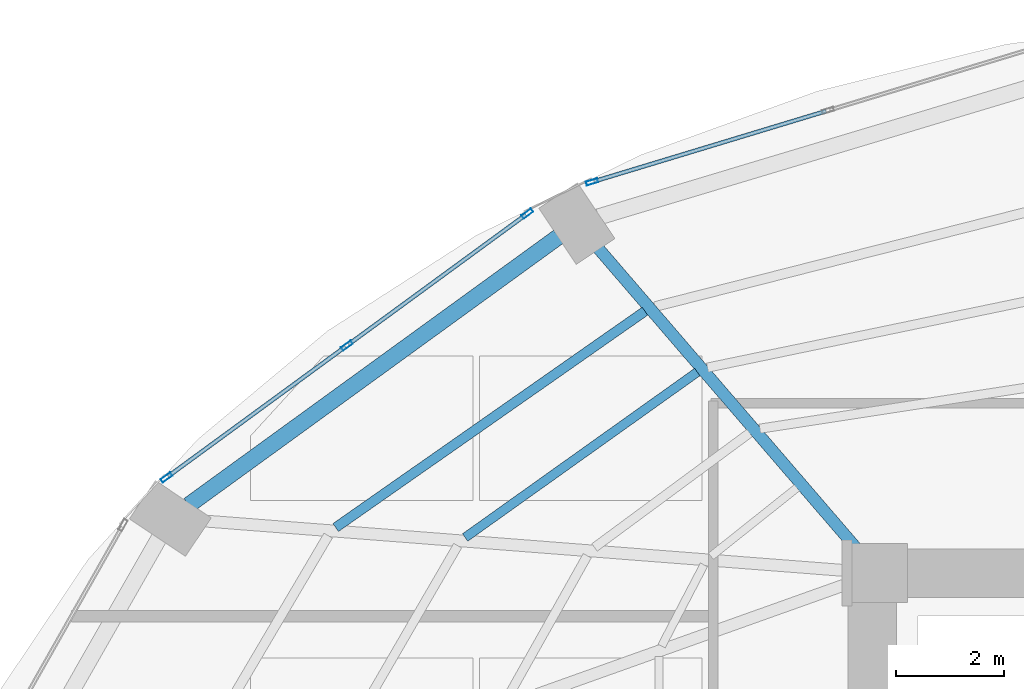
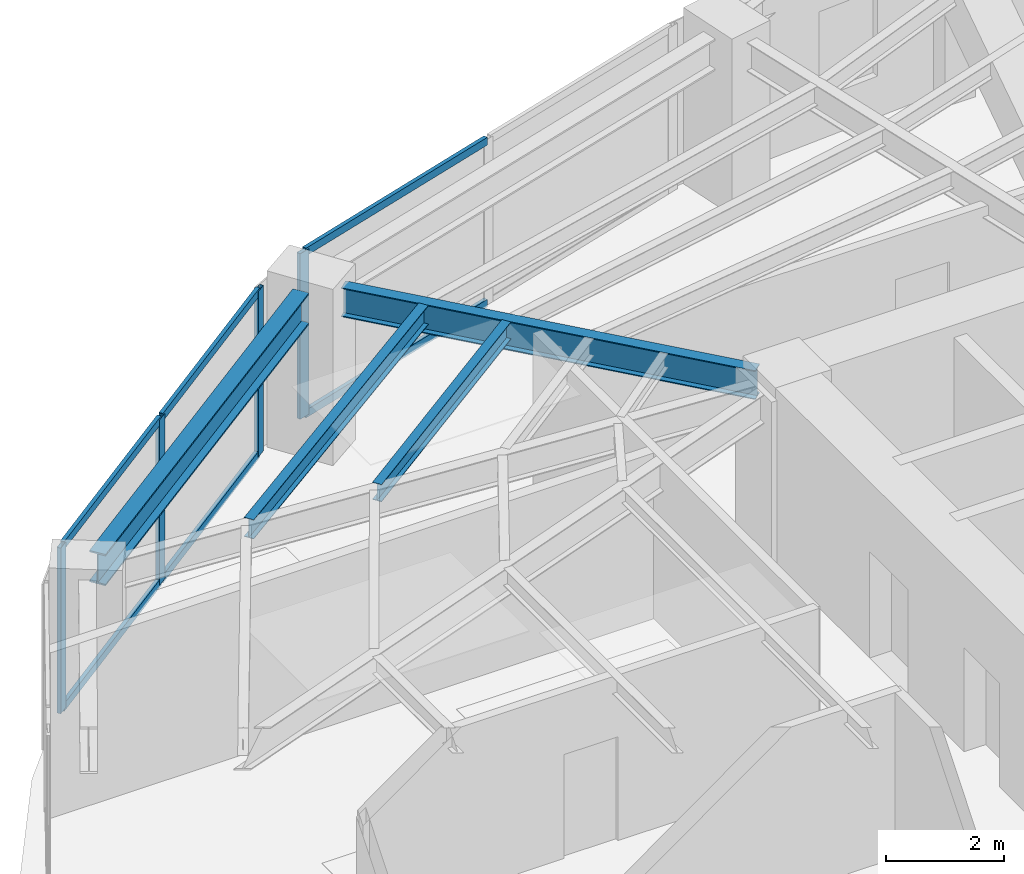
# One storey, part 13 of 24: 10 members, 4 beams, 2 elements without a shape of their own.
"""IFC4 building model written with IfcOpenShell, lengths in metres."""

from ifc_helpers import new_model, si_unit, direction, frame, origin, origin_2d, place, context, subcontext, project, spatial, hollow_rectangle, i_section, extrude, material, layer, layer_set, material_profile, profile_set, type_object, element, aggregate, save


model = new_model("IFC4")

# Units and contexts
model_context = context("Model", 3, precision=1e-05, world=origin(), true_north=direction((0.0, 1.0)))
body_context = subcontext(model_context, "Body", "Model", "MODEL_VIEW")
ifc_project = project(units=[si_unit("LENGTHUNIT", "METRE"), si_unit("AREAUNIT", "SQUARE_METRE"), si_unit("VOLUMEUNIT", "CUBIC_METRE"), si_unit("PLANEANGLEUNIT", "RADIAN"), si_unit("MASSUNIT", "GRAM", prefix="KILO")], contexts=[model_context])

# Site, building, storey
site_placement = place(None, origin())
site = spatial("IfcSite", under=ifc_project, at=site_placement, CompositionType="ELEMENT")
building_placement = place(site_placement, origin())
building = spatial("IfcBuilding", under=site, at=building_placement, Name="Lazwardi Medical Tower", CompositionType="ELEMENT")
storey_placement = place(building_placement, frame((0.0, 0.0, 58.031982421875)))
storey = spatial("IfcBuildingStorey", under=building, at=storey_placement, Name="L14", CompositionType="ELEMENT", Elevation=58.031982421875)

# Beams
ifc_material_1 = material(Name="Steel S355", Category="steel")
ifc_material_profile_1 = material_profile(ifc_material_1, i_section(OverallWidth=0.300048828125, OverallDepth=0.64990234375, WebThickness=0.01611328125, FlangeThickness=0.031005859375, at=origin_2d()), Name="HEB 650")
ifc_profile_set_1 = profile_set([ifc_material_profile_1], Name="Steel S355")
beam_type_1 = type_object("IfcBeamType", Name="BM-RB-Z1", PredefinedType="BEAM", material=ifc_profile_set_1)
beam_1_placement = place(storey_placement, frame((20.47900390625, 41.83740234375, 3.10302734375), z_axis=(-0.80939338516, -0.5872668457, 0.0), x_axis=(0.5872668457, -0.80939338516, 0.0)))
element("IfcBeam", 1, at=beam_1_placement, inside=storey, type_object=beam_type_1, Name="Ring beam RB-02 B10 L14", PredefinedType="BEAM", context=body_context, shape_type="SweptSolid", body=[
    extrude(i_section(OverallWidth=0.300048828125, OverallDepth=0.64990234375, WebThickness=0.01611328125, FlangeThickness=0.031005859375, at=origin_2d()), origin(), (0.0, 0.0, 1.0), 8.47412109375),
])
ifc_material_profile_2 = material_profile(ifc_material_1, i_section(OverallWidth=0.219970703125, OverallDepth=0.60009765625, WebThickness=0.011962890625, FlangeThickness=0.01904296875, at=origin_2d()), Name="IPE 600")
ifc_profile_set_2 = profile_set([ifc_material_profile_2], Name="Steel S355")
beam_type_2 = type_object("IfcBeamType", Name="BM-RG-W1", PredefinedType="BEAM", material=ifc_profile_set_2)
beam_2_placement = place(storey_placement, frame((21.197509765625, 41.644287109375, 3.1279296875), z_axis=(0.652368190463, -0.757902199543, 0.0), x_axis=(0.757902199543, 0.652368190463, 0.0)))
element("IfcBeam", 2, at=beam_2_placement, inside=storey, type_object=beam_type_2, Name="Radial girder RG-02 R10 L14", PredefinedType="BEAM", context=body_context, shape_type="SweptSolid", body=[
    extrude(i_section(OverallWidth=0.219970703125, OverallDepth=0.60009765625, WebThickness=0.011962890625, FlangeThickness=0.01904296875, at=origin_2d()), origin(), (0.0, 0.0, 1.0), 7.43994140625),
])
ifc_material_profile_3 = material_profile(ifc_material_1, i_section(OverallWidth=0.179931640625, OverallDepth=0.39990234375, WebThickness=0.008544921875, FlangeThickness=0.013427734375, at=origin_2d()), Name="IPE 400")
ifc_profile_set_3 = profile_set([ifc_material_profile_3], Name="Steel S355")
beam_type_3 = type_object("IfcBeamType", Name="BM-SJ-01", PredefinedType="JOIST", material=ifc_profile_set_3)
beam_3_placement = place(storey_placement, frame((22.08203125, 40.456298828125, 3.22802734375), z_axis=(-0.81942522483, -0.573186096231, 0.0), x_axis=(0.573186096231, -0.81942522483, 0.0)))
element("IfcBeam", 3, at=beam_3_placement, inside=storey, type_object=beam_type_3, Name="Secondary joist SJ-01 R1 B10 L14", PredefinedType="JOIST", context=body_context, shape_type="SweptSolid", body=[
    extrude(i_section(OverallWidth=0.179931640625, OverallDepth=0.39990234375, WebThickness=0.008544921875, FlangeThickness=0.013427734375, at=origin_2d()), origin(), (0.0, 0.0, 1.0), 6.999755859375),
])
ifc_material_profile_4 = material_profile(ifc_material_1, i_section(OverallWidth=0.169921875, OverallDepth=0.360107421875, WebThickness=0.008056640625, FlangeThickness=0.0126953125, at=origin_2d()), Name="IPE 360")
ifc_profile_set_4 = profile_set([ifc_material_profile_4], Name="Steel S355")
beam_type_4 = type_object("IfcBeamType", Name="BM-SJ-02", PredefinedType="JOIST", material=ifc_profile_set_4)
beam_4_placement = place(storey_placement, frame((23.05322265625, 39.327880859375, 3.248046875), z_axis=(-0.814341377136, -0.580386183058, 0.0), x_axis=(0.580386183058, -0.814341377136, 0.0)))
element("IfcBeam", 4, at=beam_4_placement, inside=storey, type_object=beam_type_4, Name="Secondary joist SJ-02 R2 B10 L14", PredefinedType="JOIST", context=body_context, shape_type="SweptSolid", body=[
    extrude(i_section(OverallWidth=0.169921875, OverallDepth=0.360107421875, WebThickness=0.008056640625, FlangeThickness=0.0126953125, at=origin_2d()), origin(), (0.0, 0.0, 1.0), 5.28759765625),
])

# Curtain wall, member
ifc_material_2 = material(Name="Anodised bronze aluminium and solar control glazing", Category="aluminium")
ifc_layer = layer(ifc_material_2, 0.199951171875)
ifc_layer_set = layer_set([ifc_layer], Name="Anodised bronze aluminium and solar control glazing")
curtain_wall_type = type_object("IfcCurtainWallType", Name="CW-SYS-02", PredefinedType="NOTDEFINED", material=ifc_layer_set)
curtain_wall_1_placement = place(storey_placement, origin())
curtain_wall_1 = element("IfcCurtainWall", 5, at=curtain_wall_1_placement, inside=storey, type_object=curtain_wall_type, Name="L14 Unitised bronze curtain wall CW-02", PredefinedType="NOTDEFINED")
ifc_material_3 = material(Name="Anodised bronze aluminium", Category="aluminium")
ifc_material_profile_5 = material_profile(ifc_material_3, hollow_rectangle(XDim=0.074951171875, YDim=0.219970703125, WallThickness=0.00390625, at=origin_2d()), Name="ALU-MULLION 220x75x4")
ifc_profile_set_5 = profile_set([ifc_material_profile_5], Name="Anodised bronze aluminium")
member_type_1 = type_object("IfcMemberType", Name="CW-MUL-01", PredefinedType="MULLION", material=ifc_profile_set_5)
member_1_placement = place(storey_placement, frame((21.1015625, 42.853271484375, 0.0), z_axis=(0.0, 0.0, 1.0), x_axis=(0.2898956909, -0.957058247129, 0.0)))
member_1 = element("IfcMember", 6, at=member_1_placement, type_object=member_type_1, Name="CW-02 mullion 3", PredefinedType="MULLION", context=body_context, shape_type="SweptSolid", body=[
    extrude(hollow_rectangle(XDim=0.074951171875, YDim=0.219970703125, WallThickness=0.00390625, at=origin_2d()), origin(), (0.0, 0.0, 1.0), 3.427978515625),
])

# Curtain wall, members
curtain_wall_2_placement = place(storey_placement, origin())
curtain_wall_2 = element("IfcCurtainWall", 7, at=curtain_wall_2_placement, inside=storey, type_object=curtain_wall_type, Name="L14 Unitised bronze curtain wall CW-02", PredefinedType="NOTDEFINED")
member_2_placement = place(storey_placement, frame((19.9013671875, 42.26611328125, 0.0), z_axis=(0.0, 0.0, 1.0), x_axis=(0.590289307341, -0.807191757663, 0.0)))
member_2 = element("IfcMember", 8, at=member_2_placement, type_object=member_type_1, Name="CW-02 mullion 1", PredefinedType="MULLION", context=body_context, shape_type="SweptSolid", body=[
    extrude(hollow_rectangle(XDim=0.074951171875, YDim=0.219970703125, WallThickness=0.00390625, at=origin_2d()), origin(), (0.0, 0.0, 1.0), 3.427978515625),
])
member_3_placement = place(storey_placement, frame((16.5556640625, 39.8193359375, 0.0), z_axis=(0.0, 0.0, 1.0), x_axis=(0.590289307341, -0.807191757663, 0.0)))
member_3 = element("IfcMember", 9, at=member_3_placement, type_object=member_type_1, Name="CW-02 mullion 2", PredefinedType="MULLION", context=body_context, shape_type="SweptSolid", body=[
    extrude(hollow_rectangle(XDim=0.074951171875, YDim=0.219970703125, WallThickness=0.00390625, at=origin_2d()), origin(), (0.0, 0.0, 1.0), 3.427978515625),
])
member_4_placement = place(storey_placement, frame((13.209716796875, 37.37255859375, 0.0), z_axis=(0.0, 0.0, 1.0), x_axis=(0.590289307341, -0.807191757663, 0.0)))
member_4 = element("IfcMember", 10, at=member_4_placement, type_object=member_type_1, Name="CW-02 mullion 3", PredefinedType="MULLION", context=body_context, shape_type="SweptSolid", body=[
    extrude(hollow_rectangle(XDim=0.074951171875, YDim=0.219970703125, WallThickness=0.00390625, at=origin_2d()), origin(), (0.0, 0.0, 1.0), 3.427978515625),
])

# Member
ifc_material_profile_6 = material_profile(ifc_material_3, hollow_rectangle(XDim=0.074951171875, YDim=0.159912109375, WallThickness=0.00390625, at=origin_2d()), Name="ALU-TRANSOM 160x75x4")
ifc_profile_set_6 = profile_set([ifc_material_profile_6], Name="Anodised bronze aluminium")
member_type_2 = type_object("IfcMemberType", Name="CW-TRN-01", PredefinedType="USERDEFINED", material=ifc_profile_set_6)
member_5_placement = place(storey_placement, frame((25.44091796875, 44.16748046875, 0.03759765625), z_axis=(-0.957062297904, -0.289882317383, 0.0), x_axis=(0.289882317383, -0.957062297904, 0.0)))
member_5 = element("IfcMember", 11, at=member_5_placement, type_object=member_type_2, Name="CW-02 transom 2.1", ObjectType="TRANSOM", PredefinedType="USERDEFINED", context=body_context, shape_type="SweptSolid", body=[
    extrude(hollow_rectangle(XDim=0.074951171875, YDim=0.159912109375, WallThickness=0.00390625, at=origin_2d()), origin(), (0.0, 0.0, 1.0), 4.49658203125),
])

member_6_placement = place(storey_placement, frame((25.44091796875, 44.16748046875, 3.390625), z_axis=(-0.957062297904, -0.289882317383, 0.0), x_axis=(0.289882317383, -0.957062297904, 0.0)))
member_6 = element("IfcMember", 12, at=member_6_placement, type_object=member_type_2, Name="CW-02 transom 2.2", ObjectType="TRANSOM", PredefinedType="USERDEFINED", context=body_context, shape_type="SweptSolid", body=[
    extrude(hollow_rectangle(XDim=0.074951171875, YDim=0.159912109375, WallThickness=0.00390625, at=origin_2d()), origin(), (0.0, 0.0, 1.0), 4.49658203125),
])

aggregate(curtain_wall_1, [member_1, member_5, member_6])

member_7_placement = place(storey_placement, frame((19.87109375, 42.243896484375, 0.03759765625), z_axis=(-0.807197636578, -0.590281268128, 0.0), x_axis=(0.590281268128, -0.807197636578, 0.0)))
member_7 = element("IfcMember", 13, at=member_7_placement, type_object=member_type_2, Name="CW-02 transom 1.1", ObjectType="TRANSOM", PredefinedType="USERDEFINED", context=body_context, shape_type="SweptSolid", body=[
    extrude(hollow_rectangle(XDim=0.074951171875, YDim=0.159912109375, WallThickness=0.00390625, at=origin_2d()), origin(), (0.0, 0.0, 1.0), 4.06982421875),
])

member_8_placement = place(storey_placement, frame((19.87109375, 42.243896484375, 3.390625), z_axis=(-0.807197636578, -0.590281268128, 0.0), x_axis=(0.590281268128, -0.807197636578, 0.0)))
member_8 = element("IfcMember", 14, at=member_8_placement, type_object=member_type_2, Name="CW-02 transom 1.2", ObjectType="TRANSOM", PredefinedType="USERDEFINED", context=body_context, shape_type="SweptSolid", body=[
    extrude(hollow_rectangle(XDim=0.074951171875, YDim=0.159912109375, WallThickness=0.00390625, at=origin_2d()), origin(), (0.0, 0.0, 1.0), 4.06982421875),
])

member_9_placement = place(storey_placement, frame((16.525390625, 39.797119140625, 0.03759765625), z_axis=(-0.807218536774, -0.590252686472, 0.0), x_axis=(0.590252686472, -0.807218536774, 0.0)))
member_9 = element("IfcMember", 15, at=member_9_placement, type_object=member_type_2, Name="CW-02 transom 2.1", ObjectType="TRANSOM", PredefinedType="USERDEFINED", context=body_context, shape_type="SweptSolid", body=[
    extrude(hollow_rectangle(XDim=0.074951171875, YDim=0.159912109375, WallThickness=0.00390625, at=origin_2d()), origin(), (0.0, 0.0, 1.0), 4.070068359375),
])

member_10_placement = place(storey_placement, frame((16.525390625, 39.797119140625, 3.390625), z_axis=(-0.807218536774, -0.590252686472, 0.0), x_axis=(0.590252686472, -0.807218536774, 0.0)))
member_10 = element("IfcMember", 16, at=member_10_placement, type_object=member_type_2, Name="CW-02 transom 2.2", ObjectType="TRANSOM", PredefinedType="USERDEFINED", context=body_context, shape_type="SweptSolid", body=[
    extrude(hollow_rectangle(XDim=0.074951171875, YDim=0.159912109375, WallThickness=0.00390625, at=origin_2d()), origin(), (0.0, 0.0, 1.0), 4.070068359375),
])

aggregate(curtain_wall_2, [member_2, member_3, member_4, member_7, member_8, member_9, member_10])

save(model, "model.ifc")
